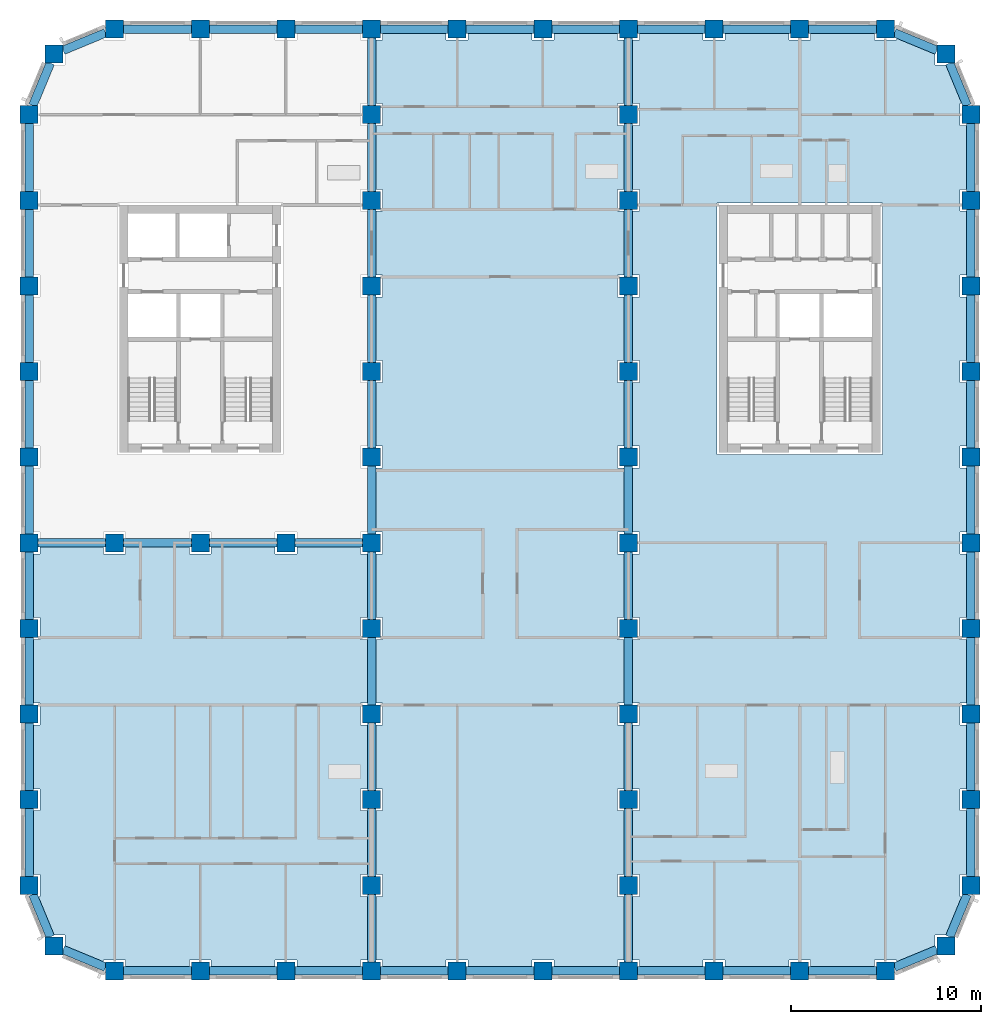
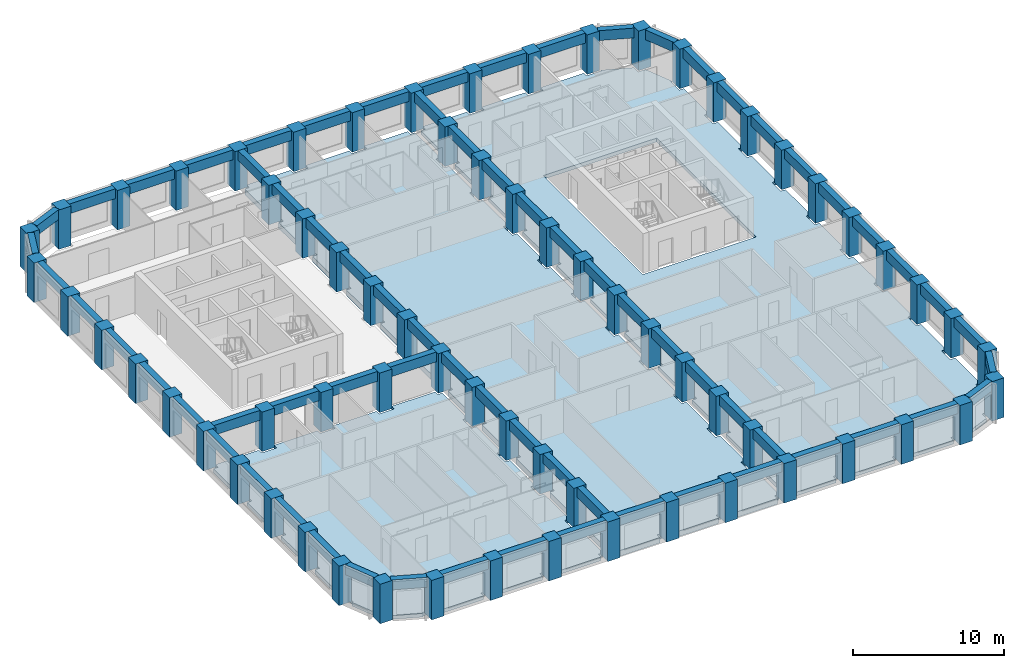
# One storey, part 1 of 13: 70 beams, 67 columns, 3 slabs.
"""IFC4 building model written with IfcOpenShell, lengths in metres."""

import ifcopenshell
import ifcopenshell.guid

model = None  # the IFC model being written
_history = None  # IfcOwnerHistory: only IFC2X3 demands one
_inside = {}  # id of a spatial element -> (the spatial element, [elements in it])
_under = {}  # id of a project, library or spatial element -> (it, [spatial elements below it])
_declared = {}  # id of a project -> (the project, [libraries it declares])
_typed = {}  # id of a type object -> (the type object, [elements of that type])
_made_of = {}  # id of a material, layer set ... -> (it, [elements and type objects made of it])


def new_model(schema):
    """Start an empty IFC model of exactly this schema.

    Asked for "IFC4X3", IfcOpenShell would pick the latest addendum, in which some entities
    have other attributes; the version numbers below select the first issue.
    IFC2X3 requires an IfcOwnerHistory on every rooted entity: one is made here for all.
    """
    global model, _history
    if schema == "IFC4X3":
        model = ifcopenshell.file(schema_version=(4, 3, 0, 0))
    else:
        model = ifcopenshell.file(schema=schema)
    _inside.clear()
    _under.clear()
    _declared.clear()
    _typed.clear()
    _made_of.clear()
    _history = None
    if model.schema == "IFC2X3":
        org = make("IfcOrganization", Name="unknown")
        user = make(
            "IfcPersonAndOrganization",
            ThePerson=make("IfcPerson", FamilyName="unknown"),
            TheOrganization=org,
        )
        app = make(
            "IfcApplication",
            ApplicationDeveloper=org,
            Version="unknown",
            ApplicationFullName="unknown",
            ApplicationIdentifier="unknown",
        )
        _history = make(
            "IfcOwnerHistory",
            OwningUser=user,
            OwningApplication=app,
            ChangeAction="ADDED",
            CreationDate=0,
        )
    return model


def make(cls, **values):
    """One entity of the class cls with the attributes given. An attribute that is None is left unset."""
    return model.create_entity(
        cls, **{name: value for name, value in values.items() if value is not None}
    )


def rooted(cls, **values):
    """An entity with a GlobalId (a new one), such as an element, a storey or a relation."""
    return make(cls, GlobalId=ifcopenshell.guid.new(), OwnerHistory=_history, **values)


def si_unit(unit_type, name, prefix=None):
    """IfcSIUnit, for example si_unit("LENGTHUNIT", "METRE", prefix="MILLI")."""
    return make("IfcSIUnit", UnitType=unit_type, Prefix=prefix, Name=name)


def assignment(units):
    """IfcUnitAssignment: the units of a project."""
    return None if units is None else make("IfcUnitAssignment", Units=units)


def point(xyz):
    """IfcCartesianPoint."""
    return None if xyz is None else make("IfcCartesianPoint", Coordinates=xyz)


def direction(xyz):
    """IfcDirection."""
    return None if xyz is None else make("IfcDirection", DirectionRatios=xyz)


def frame(location, z_axis=None, x_axis=None):
    """IfcAxis2Placement3D, a coordinate frame: its origin and axes. An axis left out is left unset."""
    return make(
        "IfcAxis2Placement3D",
        Location=point(location),
        Axis=direction(z_axis),
        RefDirection=direction(x_axis),
    )


def frame_2d(location, x_axis=None):
    """IfcAxis2Placement2D, a coordinate frame in the plane: its origin and x axis."""
    return make(
        "IfcAxis2Placement2D", Location=point(location), RefDirection=direction(x_axis)
    )


def origin():
    """The frame at (0, 0, 0) with its axes left unset."""
    return frame((0.0, 0.0, 0.0))


def origin_2d():
    """The frame at (0, 0) in the plane with its x axis left unset."""
    return frame_2d((0.0, 0.0))


def place(relative_to, where):
    """IfcLocalPlacement: puts the frame where relative to a parent placement (None: the world)."""
    return make(
        "IfcLocalPlacement", PlacementRelTo=relative_to, RelativePlacement=where
    )


def context(
    kind, dimensions, precision=None, world=None, true_north=None, identifier=None
):
    """IfcGeometricRepresentationContext, for example the 3D "Model" context."""
    return make(
        "IfcGeometricRepresentationContext",
        ContextIdentifier=identifier,
        ContextType=kind,
        CoordinateSpaceDimension=dimensions,
        Precision=precision,
        WorldCoordinateSystem=world,
        TrueNorth=true_north,
    )


def subcontext(parent, identifier, kind, view, scale=None):
    """IfcGeometricRepresentationSubContext, for example "Body" below "Model"."""
    return make(
        "IfcGeometricRepresentationSubContext",
        ContextIdentifier=identifier,
        ContextType=kind,
        ParentContext=parent,
        TargetScale=scale,
        TargetView=view,
    )


def project(units=None, contexts=None):
    """IfcProject with its units and contexts."""
    return rooted(
        "IfcProject",
        Name="project",
        RepresentationContexts=contexts,
        UnitsInContext=assignment(units),
    )


def spatial(cls, under=None, at=None, **own):
    """A site, building, storey or space (cls), placed at a placement, below another one or the project."""
    s = rooted(cls, ObjectPlacement=at, **own)
    if under is not None:
        _under.setdefault(under.id(), (under, []))[1].append(s)
    return s


def polyline(points):
    """IfcPolyline through the points."""
    return make("IfcPolyline", Points=[point(p) for p in points])


def profile(cls, at=None, kind="AREA", **sizes):
    """A parametric profile (cls). Its sizes go by their IFC names, for example OverallWidth=200.0."""
    return make(cls, ProfileType=kind, Position=at, **sizes)


def rectangle(**sizes):
    """IfcRectangleProfileDef."""
    return profile("IfcRectangleProfileDef", **sizes)


def outline(outer, holes=None, kind="AREA"):
    """IfcArbitraryClosedProfileDef: a profile drawn as a closed curve; with holes, ...WithVoids."""
    if holes is None:
        return make("IfcArbitraryClosedProfileDef", ProfileType=kind, OuterCurve=outer)
    return make(
        "IfcArbitraryProfileDefWithVoids",
        ProfileType=kind,
        OuterCurve=outer,
        InnerCurves=holes,
    )


def extrude(swept, where, along, depth):
    """IfcExtrudedAreaSolid: the profile swept, set in the frame where, extruded along a direction by depth."""
    return make(
        "IfcExtrudedAreaSolid",
        SweptArea=swept,
        Position=where,
        ExtrudedDirection=direction(along),
        Depth=depth,
    )


def shape(context_of_items, identifier, shape_type, items):
    """IfcShapeRepresentation: the items that make up one representation, for example the "Body"."""
    return make(
        "IfcShapeRepresentation",
        ContextOfItems=context_of_items,
        RepresentationIdentifier=identifier,
        RepresentationType=shape_type,
        Items=items,
    )


def material(Name=None, Category=None):
    """IfcMaterial."""
    return make("IfcMaterial", Name=Name, Category=Category)


def layer(
    of_material, thickness, ventilated=None, Name=None, Category=None, Priority=None
):
    """IfcMaterialLayer: one layer of a wall or slab, of a material (None: an air gap)."""
    return make(
        "IfcMaterialLayer",
        Material=of_material,
        LayerThickness=thickness,
        IsVentilated=ventilated,
        Name=Name,
        Category=Category,
        Priority=Priority,
    )


def layer_set(layers, Name=None):
    """IfcMaterialLayerSet."""
    return make("IfcMaterialLayerSet", MaterialLayers=layers, LayerSetName=Name)


def material_profile(
    of_material, cross_section, Name=None, Category=None, Priority=None
):
    """IfcMaterialProfile: a cross section and its material."""
    return make(
        "IfcMaterialProfile",
        Name=Name,
        Material=of_material,
        Profile=cross_section,
        Priority=Priority,
        Category=Category,
    )


def profile_set(profiles, Name=None, composite=None):
    """IfcMaterialProfileSet."""
    return make(
        "IfcMaterialProfileSet",
        Name=Name,
        MaterialProfiles=profiles,
        CompositeProfile=composite,
    )


def made_of(thing, what):
    """Note that an element or type object is made of a material, layer set ...; save() writes the relation."""
    if what is not None:
        _made_of.setdefault(what.id(), (what, []))[1].append(thing)
    return thing


def type_object(cls, material=None, **own):
    """A type object (cls), such as IfcWallType, which elements share."""
    return made_of(rooted(cls, **own), material)


def element(
    cls,
    number,
    at=None,
    inside=None,
    cuts=None,
    type_object=None,
    material=None,
    context=None,
    identifier="Body",
    shape_type=None,
    held_by="IfcProductDefinitionShape",
    body=None,
    shapes=None,
    **own,
):
    """One element of the class cls, such as IfcWall. Its Tag is "e" and its number.

    at: its placement. inside: the storey or other place that contains it. cuts: it is an
    opening in that element (IfcRelVoidsElement). A single representation is given by context,
    identifier, shape_type and body (its items); several are given by shapes. held_by: the class
    of the entity that holds the representations. save() writes the other relations.
    """
    e = rooted(cls, Tag="e%d" % number, ObjectPlacement=at, **own)
    if body is not None:
        shapes = [shape(context, identifier, shape_type, body)]
    if shapes is not None:
        e.Representation = make(held_by, Representations=shapes)
    if inside is not None:
        _inside.setdefault(inside.id(), (inside, []))[1].append(e)
    if cuts is not None:
        rooted(
            "IfcRelVoidsElement", RelatingBuildingElement=cuts, RelatedOpeningElement=e
        )
    if type_object is not None:
        _typed.setdefault(type_object.id(), (type_object, []))[1].append(e)
    return made_of(e, material)


def aggregate(whole, parts):
    """IfcRelAggregates: a whole, such as a stair, and the parts it consists of."""
    return rooted("IfcRelAggregates", RelatingObject=whole, RelatedObjects=parts)


def save(model, path):
    """Write the relations noted so far, then the file.

    IfcRelAggregates (storeys below a building ...), IfcRelContainedInSpatialStructure (elements
    in a storey), IfcRelDefinesByType, IfcRelAssociatesMaterial and IfcRelDeclares: one each for
    every whole, place, type object, material and project.
    """
    for whole, parts in _under.values():
        aggregate(whole, parts)
    for where, things in _inside.values():
        rooted(
            "IfcRelContainedInSpatialStructure",
            RelatedElements=things,
            RelatingStructure=where,
        )
    for kind, things in _typed.values():
        rooted("IfcRelDefinesByType", RelatedObjects=things, RelatingType=kind)
    for what, things in _made_of.values():
        rooted("IfcRelAssociatesMaterial", RelatedObjects=things, RelatingMaterial=what)
    for by, libraries in _declared.values():
        rooted("IfcRelDeclares", RelatingContext=by, RelatedDefinitions=libraries)
    model.write(path)


model = new_model("IFC4")

# Units and contexts
model_context = context("Model", 3, precision=1e-05, world=origin(), true_north=direction((0.0, 1.0)))
body_context = subcontext(model_context, "Body", "Model", "MODEL_VIEW")
ifc_project = project(units=[si_unit("LENGTHUNIT", "METRE"), si_unit("AREAUNIT", "SQUARE_METRE"), si_unit("VOLUMEUNIT", "CUBIC_METRE"), si_unit("PLANEANGLEUNIT", "RADIAN"), si_unit("MASSUNIT", "GRAM", prefix="KILO")], contexts=[model_context])

# Site, building, storey
site_placement = place(None, origin())
site = spatial("IfcSite", under=ifc_project, at=site_placement, CompositionType="ELEMENT")
building_placement = place(site_placement, origin())
building = spatial("IfcBuilding", under=site, at=building_placement, Name="Girih Gate Residences", CompositionType="ELEMENT")
storey_placement = place(building_placement, frame((0.0, 0.0, 130.199951171875)))
storey = spatial("IfcBuildingStorey", under=building, at=storey_placement, Name="L36", CompositionType="ELEMENT", Elevation=130.199951171875)

# Columns
ifc_material_1 = material(Name="Concrete C70/85", Category="concrete")
ifc_material_profile_1 = material_profile(ifc_material_1, rectangle(XDim=0.949951171875, YDim=0.949951171875, at=origin_2d()))
ifc_profile_set_1 = profile_set([ifc_material_profile_1], Name="Concrete C70/85")
column_type = type_object("IfcColumnType", Name="Pier RC 950x950 Concrete C70/85", PredefinedType="COLUMN", material=ifc_profile_set_1)
for number, where, z_axis, x_axis, name in (
    (1, (4.5, 0.0, 0.0), (0.0, 0.0, 1.0), (1.0, 0.0, 0.0), "Pier P2A L36"),
    (2, (9.0, 0.0, 0.0), (0.0, 0.0, 1.0), (1.0, 0.0, 0.0), "Pier P3A L36"),
    (3, (13.5, 0.0, 0.0), (0.0, 0.0, 1.0), (1.0, 0.0, 0.0), "Pier P4A L36"),
    (4, (18.0, 0.0, 0.0), (0.0, 0.0, 1.0), (1.0, 0.0, 0.0), "Pier P5A L36"),
    (5, (22.5, 0.0, 0.0), (0.0, 0.0, 1.0), (1.0, 0.0, 0.0), "Pier P6A L36"),
    (6, (27.0, 0.0, 0.0), (0.0, 0.0, 1.0), (1.0, 0.0, 0.0), "Pier P7A L36"),
    (7, (31.5, 0.0, 0.0), (0.0, 0.0, 1.0), (1.0, 0.0, 0.0), "Pier P8A L36"),
    (8, (36.0, 0.0, 0.0), (0.0, 0.0, 1.0), (1.0, 0.0, 0.0), "Pier P9A L36"),
    (9, (40.5, 0.0, 0.0), (0.0, 0.0, 1.0), (1.0, 0.0, 0.0), "Pier P10A L36"),
    (10, (45.0, 0.0, 0.0), (0.0, 0.0, 1.0), (1.0, 0.0, 0.0), "Pier P11A L36"),
    (11, (1.318115234375, 1.318115234375, 0.0), (0.0, 0.0, 1.0), (1.0, 0.0, 0.0), "Pier P1ANE L36"),
    (12, (48.181884765625, 1.318115234375, 0.0), (0.0, 0.0, 1.0), (1.0, 0.0, 0.0), "Pier P12ANW L36"),
    (13, (0.0, 4.5, 0.0), (0.0, 0.0, 1.0), (1.0, 0.0, 0.0), "Pier P1B L36"),
    (14, (18.0, 4.5, 0.0), (0.0, 0.0, 1.0), (1.0, 0.0, 0.0), "Pier P5B L36"),
    (15, (31.5, 4.5, 0.0), (0.0, 0.0, 1.0), (1.0, 0.0, 0.0), "Pier P8B L36"),
    (16, (49.5, 4.5, 0.0), (0.0, 0.0, 1.0), (1.0, 0.0, 0.0), "Pier P12B L36"),
    (17, (0.0, 9.0, 0.0), (0.0, 0.0, 1.0), (1.0, 0.0, 0.0), "Pier P1C L36"),
    (18, (18.0, 9.0, 0.0), (0.0, 0.0, 1.0), (1.0, 0.0, 0.0), "Pier P5C L36"),
    (19, (31.5, 9.0, 0.0), (0.0, 0.0, 1.0), (1.0, 0.0, 0.0), "Pier P8C L36"),
    (20, (49.5, 9.0, 0.0), (0.0, 0.0, 1.0), (1.0, 0.0, 0.0), "Pier P12C L36"),
    (21, (0.0, 13.5, 0.0), (0.0, 0.0, 1.0), (1.0, 0.0, 0.0), "Pier P1D L36"),
    (22, (18.0, 13.5, 0.0), (0.0, 0.0, 1.0), (1.0, 0.0, 0.0), "Pier P5D L36"),
    (23, (31.5, 13.5, 0.0), (0.0, 0.0, 1.0), (1.0, 0.0, 0.0), "Pier P8D L36"),
    (24, (49.5, 13.5, 0.0), (0.0, 0.0, 1.0), (1.0, 0.0, 0.0), "Pier P12D L36"),
    (25, (0.0, 18.0, 0.0), (0.0, 0.0, 1.0), (1.0, 0.0, 0.0), "Pier P1E L36"),
    (26, (18.0, 18.0, 0.0), (0.0, 0.0, 1.0), (1.0, 0.0, 0.0), "Pier P5E L36"),
    (27, (31.5, 18.0, 0.0), (0.0, 0.0, 1.0), (1.0, 0.0, 0.0), "Pier P8E L36"),
    (28, (49.5, 18.0, 0.0), (0.0, 0.0, 1.0), (1.0, 0.0, 0.0), "Pier P12E L36"),
    (29, (0.0, 22.5, 0.0), (0.0, 0.0, 1.0), (1.0, 0.0, 0.0), "Pier P1F L36"),
    (30, (4.5, 22.5, 0.0), (0.0, 0.0, 1.0), (1.0, 0.0, 0.0), "Pier P2F L36"),
    (31, (9.0, 22.5, 0.0), (0.0, 0.0, 1.0), (1.0, 0.0, 0.0), "Pier P3F L36"),
    (32, (13.5, 22.5, 0.0), (0.0, 0.0, 1.0), (1.0, 0.0, 0.0), "Pier P4F L36"),
    (33, (18.0, 22.5, 0.0), (0.0, 0.0, 1.0), (1.0, 0.0, 0.0), "Pier P5F L36"),
    (34, (31.5, 22.5, 0.0), (0.0, 0.0, 1.0), (1.0, 0.0, 0.0), "Pier P8F L36"),
    (35, (49.5, 22.5, 0.0), (0.0, 0.0, 1.0), (1.0, 0.0, 0.0), "Pier P12F L36"),
    (36, (0.0, 27.0, 0.0), (0.0, 0.0, 1.0), (1.0, 0.0, 0.0), "Pier P1G L36"),
    (37, (18.0, 27.0, 0.0), (0.0, 0.0, 1.0), (1.0, 0.0, 0.0), "Pier P5G L36"),
    (38, (31.5, 27.0, 0.0), (0.0, 0.0, 1.0), (1.0, 0.0, 0.0), "Pier P8G L36"),
    (39, (49.5, 27.0, 0.0), (0.0, 0.0, 1.0), (1.0, 0.0, 0.0), "Pier P12G L36"),
    (40, (0.0, 31.5, 0.0), (0.0, 0.0, 1.0), (1.0, 0.0, 0.0), "Pier P1H L36"),
    (41, (18.0, 31.5, 0.0), (0.0, 0.0, 1.0), (1.0, 0.0, 0.0), "Pier P5H L36"),
    (42, (31.5, 31.5, 0.0), (0.0, 0.0, 1.0), (1.0, 0.0, 0.0), "Pier P8H L36"),
    (43, (49.5, 31.5, 0.0), (0.0, 0.0, 1.0), (1.0, 0.0, 0.0), "Pier P12H L36"),
    (44, (0.0, 36.0, 0.0), (0.0, 0.0, 1.0), (1.0, 0.0, 0.0), "Pier P1I L36"),
    (45, (18.0, 36.0, 0.0), (0.0, 0.0, 1.0), (1.0, 0.0, 0.0), "Pier P5I L36"),
    (46, (31.5, 36.0, 0.0), (0.0, 0.0, 1.0), (1.0, 0.0, 0.0), "Pier P8I L36"),
    (47, (49.5, 36.0, 0.0), (0.0, 0.0, 1.0), (1.0, 0.0, 0.0), "Pier P12I L36"),
    (48, (0.0, 40.5, 0.0), (0.0, 0.0, 1.0), (1.0, 0.0, 0.0), "Pier P1J L36"),
    (49, (18.0, 40.5, 0.0), (0.0, 0.0, 1.0), (1.0, 0.0, 0.0), "Pier P5J L36"),
    (50, (31.5, 40.5, 0.0), (0.0, 0.0, 1.0), (1.0, 0.0, 0.0), "Pier P8J L36"),
    (51, (49.5, 40.5, 0.0), (0.0, 0.0, 1.0), (1.0, 0.0, 0.0), "Pier P12J L36"),
    (52, (0.0, 45.0, 0.0), (0.0, 0.0, 1.0), (1.0, 0.0, 0.0), "Pier P1K L36"),
    (53, (18.0, 45.0, 0.0), (0.0, 0.0, 1.0), (1.0, 0.0, 0.0), "Pier P5K L36"),
    (54, (31.5, 45.0, 0.0), (0.0, 0.0, 1.0), (1.0, 0.0, 0.0), "Pier P8K L36"),
    (55, (49.5, 45.0, 0.0), (0.0, 0.0, 1.0), (1.0, 0.0, 0.0), "Pier P12K L36"),
    (56, (1.318115234375, 48.181884765625, 0.0), (0.0, 0.0, 1.0), (1.0, 0.0, 0.0), "Pier P1LSE L36"),
    (57, (48.181884765625, 48.181884765625, 0.0), (0.0, 0.0, 1.0), (1.0, 0.0, 0.0), "Pier P12LSW L36"),
    (58, (4.5, 49.5, 0.0), (0.0, 0.0, 1.0), (1.0, 0.0, 0.0), "Pier P2L L36"),
    (59, (9.0, 49.5, 0.0), (0.0, 0.0, 1.0), (1.0, 0.0, 0.0), "Pier P3L L36"),
    (60, (13.5, 49.5, 0.0), (0.0, 0.0, 1.0), (1.0, 0.0, 0.0), "Pier P4L L36"),
    (61, (18.0, 49.5, 0.0), (0.0, 0.0, 1.0), (1.0, 0.0, 0.0), "Pier P5L L36"),
    (62, (22.5, 49.5, 0.0), (0.0, 0.0, 1.0), (1.0, 0.0, 0.0), "Pier P6L L36"),
    (63, (27.0, 49.5, 0.0), (0.0, 0.0, 1.0), (1.0, 0.0, 0.0), "Pier P7L L36"),
    (64, (31.5, 49.5, 0.0), (0.0, 0.0, 1.0), (1.0, 0.0, 0.0), "Pier P8L L36"),
    (65, (36.0, 49.5, 0.0), (0.0, 0.0, 1.0), (1.0, 0.0, 0.0), "Pier P9L L36"),
    (66, (40.5, 49.5, 0.0), (0.0, 0.0, 1.0), (1.0, 0.0, 0.0), "Pier P10L L36"),
    (67, (45.0, 49.5, 0.0), (0.0, 0.0, 1.0), (1.0, 0.0, 0.0), "Pier P11L L36"),
):
    element("IfcColumn", number, at=place(storey_placement, frame(where, z_axis=z_axis, x_axis=x_axis)), inside=storey, type_object=column_type, Name=name, PredefinedType="COLUMN", context=body_context, shape_type="SweptSolid", body=[
        extrude(rectangle(XDim=0.949951171875, YDim=0.949951171875, at=origin_2d()), origin(), (0.0, 0.0, 1.0), 3.199951171875),
    ])

# Beams
ifc_material_2 = material(Name="Concrete C60/75", Category="concrete")
ifc_material_profile_2 = material_profile(ifc_material_2, rectangle(XDim=0.449951171875, YDim=0.800048828125, at=origin_2d()))
ifc_profile_set_2 = profile_set([ifc_material_profile_2], Name="Concrete C60/75")
beam_type = type_object("IfcBeamType", Name="Spandrel girder RC 450x800 Concrete C60/75", PredefinedType="BEAM", material=ifc_profile_set_2)
for number, where, z_axis, x_axis, name in (
    (68, (0.19677734375, 4.02490234375, 2.800048828125), (0.382705825988, -0.923870256451, 0.0), (0.923870256451, 0.382705825988, 0.0), "Spandrel girder SP-P1B-P1ANE L36"),
    (69, (1.79296875, 1.121337890625, 2.800048828125), (0.923870256451, -0.382705825988, 0.0), (0.382705825988, 0.923870256451, 0.0), "Spandrel girder SP-P1ANE-P2A L36"),
):
    element("IfcBeam", number, at=place(storey_placement, frame(where, z_axis=z_axis, x_axis=x_axis)), inside=storey, type_object=beam_type, Name=name, PredefinedType="BEAM", context=body_context, shape_type="SweptSolid", body=[
        extrude(rectangle(XDim=0.449951171875, YDim=0.800048828125, at=origin_2d()), origin(), (0.0, 0.0, 1.0), 2.415771484375),
    ])
for number, where, z_axis, x_axis, name in (
    (70, (4.97509765625, 0.0, 2.800048828125), (1.0, 0.0, 0.0), (0.0, 1.0, 0.0), "Spandrel girder SP-P2A-P3A L36"),
    (71, (9.47509765625, 0.0, 2.800048828125), (1.0, 0.0, 0.0), (0.0, 1.0, 0.0), "Spandrel girder SP-P3A-P4A L36"),
    (72, (13.97509765625, 0.0, 2.800048828125), (1.0, 0.0, 0.0), (0.0, 1.0, 0.0), "Spandrel girder SP-P4A-P5A L36"),
    (73, (18.47509765625, 0.0, 2.800048828125), (1.0, 0.0, 0.0), (0.0, 1.0, 0.0), "Spandrel girder SP-P5A-P6A L36"),
    (74, (22.97509765625, 0.0, 2.800048828125), (1.0, 0.0, 0.0), (0.0, 1.0, 0.0), "Spandrel girder SP-P6A-P7A L36"),
    (75, (27.47509765625, 0.0, 2.800048828125), (1.0, 0.0, 0.0), (0.0, 1.0, 0.0), "Spandrel girder SP-P7A-P8A L36"),
    (76, (31.97509765625, 0.0, 2.800048828125), (1.0, 0.0, 0.0), (0.0, 1.0, 0.0), "Spandrel girder SP-P8A-P9A L36"),
    (77, (36.47509765625, 0.0, 2.800048828125), (1.0, 0.0, 0.0), (0.0, 1.0, 0.0), "Spandrel girder SP-P9A-P10A L36"),
    (78, (40.97509765625, 0.0, 2.800048828125), (1.0, 0.0, 0.0), (0.0, 1.0, 0.0), "Spandrel girder SP-P10A-P11A L36"),
):
    element("IfcBeam", number, at=place(storey_placement, frame(where, z_axis=z_axis, x_axis=x_axis)), inside=storey, type_object=beam_type, Name=name, PredefinedType="BEAM", context=body_context, shape_type="SweptSolid", body=[
        extrude(rectangle(XDim=0.449951171875, YDim=0.800048828125, at=origin_2d()), origin(), (0.0, 0.0, 1.0), 3.5498046875),
    ])
for number, where, z_axis, x_axis, name in (
    (79, (45.47509765625, 0.19677734375, 2.800048828125), (0.923870256451, 0.382705825988, 0.0), (-0.382705825988, 0.923870256451, 0.0), "Spandrel girder SP-P11A-P12ANW L36"),
    (80, (48.378662109375, 1.79296875, 2.800048828125), (0.382705825988, 0.923870256451, 0.0), (-0.923870256451, 0.382705825988, 0.0), "Spandrel girder SP-P12ANW-P12B L36"),
):
    element("IfcBeam", number, at=place(storey_placement, frame(where, z_axis=z_axis, x_axis=x_axis)), inside=storey, type_object=beam_type, Name=name, PredefinedType="BEAM", context=body_context, shape_type="SweptSolid", body=[
        extrude(rectangle(XDim=0.449951171875, YDim=0.800048828125, at=origin_2d()), origin(), (0.0, 0.0, 1.0), 2.415771484375),
    ])
for number, where, z_axis, x_axis, name in (
    (81, (49.5, 4.97509765625, 2.800048828125), (0.0, 1.0, 0.0), (-1.0, 0.0, 0.0), "Spandrel girder SP-P12B-P12C L36"),
    (82, (49.5, 9.47509765625, 2.800048828125), (0.0, 1.0, 0.0), (-1.0, 0.0, 0.0), "Spandrel girder SP-P12C-P12D L36"),
    (83, (49.5, 13.97509765625, 2.800048828125), (0.0, 1.0, 0.0), (-1.0, 0.0, 0.0), "Spandrel girder SP-P12D-P12E L36"),
    (84, (49.5, 18.47509765625, 2.800048828125), (0.0, 1.0, 0.0), (-1.0, 0.0, 0.0), "Spandrel girder SP-P12E-P12F L36"),
    (85, (49.5, 22.97509765625, 2.800048828125), (0.0, 1.0, 0.0), (-1.0, 0.0, 0.0), "Spandrel girder SP-P12F-P12G L36"),
    (86, (49.5, 27.47509765625, 2.800048828125), (0.0, 1.0, 0.0), (-1.0, 0.0, 0.0), "Spandrel girder SP-P12G-P12H L36"),
    (87, (49.5, 31.97509765625, 2.800048828125), (0.0, 1.0, 0.0), (-1.0, 0.0, 0.0), "Spandrel girder SP-P12H-P12I L36"),
    (88, (49.5, 36.47509765625, 2.800048828125), (0.0, 1.0, 0.0), (-1.0, 0.0, 0.0), "Spandrel girder SP-P12I-P12J L36"),
    (89, (49.5, 40.97509765625, 2.800048828125), (0.0, 1.0, 0.0), (-1.0, 0.0, 0.0), "Spandrel girder SP-P12J-P12K L36"),
):
    element("IfcBeam", number, at=place(storey_placement, frame(where, z_axis=z_axis, x_axis=x_axis)), inside=storey, type_object=beam_type, Name=name, PredefinedType="BEAM", context=body_context, shape_type="SweptSolid", body=[
        extrude(rectangle(XDim=0.449951171875, YDim=0.800048828125, at=origin_2d()), origin(), (0.0, 0.0, 1.0), 3.5498046875),
    ])
for number, where, z_axis, x_axis, name in (
    (90, (49.30322265625, 45.47509765625, 2.800048828125), (-0.382705825988, 0.923870256451, 0.0), (-0.923870256451, -0.382705825988, 0.0), "Spandrel girder SP-P12K-P12LSW L36"),
    (91, (47.70703125, 48.378662109375, 2.800048828125), (-0.923870256451, 0.382705825988, 0.0), (-0.382705825988, -0.923870256451, 0.0), "Spandrel girder SP-P12LSW-P11L L36"),
):
    element("IfcBeam", number, at=place(storey_placement, frame(where, z_axis=z_axis, x_axis=x_axis)), inside=storey, type_object=beam_type, Name=name, PredefinedType="BEAM", context=body_context, shape_type="SweptSolid", body=[
        extrude(rectangle(XDim=0.449951171875, YDim=0.800048828125, at=origin_2d()), origin(), (0.0, 0.0, 1.0), 2.415771484375),
    ])
for number, where, z_axis, x_axis, name in (
    (92, (44.52490234375, 49.5, 2.800048828125), (-1.0, 0.0, 0.0), (0.0, -1.0, 0.0), "Spandrel girder SP-P11L-P10L L36"),
    (93, (40.02490234375, 49.5, 2.800048828125), (-1.0, 0.0, 0.0), (0.0, -1.0, 0.0), "Spandrel girder SP-P10L-P9L L36"),
    (94, (35.52490234375, 49.5, 2.800048828125), (-1.0, 0.0, 0.0), (0.0, -1.0, 0.0), "Spandrel girder SP-P9L-P8L L36"),
    (95, (31.02490234375, 49.5, 2.800048828125), (-1.0, 0.0, 0.0), (0.0, -1.0, 0.0), "Spandrel girder SP-P8L-P7L L36"),
    (96, (26.52490234375, 49.5, 2.800048828125), (-1.0, 0.0, 0.0), (0.0, -1.0, 0.0), "Spandrel girder SP-P7L-P6L L36"),
    (97, (22.02490234375, 49.5, 2.800048828125), (-1.0, 0.0, 0.0), (0.0, -1.0, 0.0), "Spandrel girder SP-P6L-P5L L36"),
    (98, (17.52490234375, 49.5, 2.800048828125), (-1.0, 0.0, 0.0), (0.0, -1.0, 0.0), "Spandrel girder SP-P5L-P4L L36"),
    (99, (13.02490234375, 49.5, 2.800048828125), (-1.0, 0.0, 0.0), (0.0, -1.0, 0.0), "Spandrel girder SP-P4L-P3L L36"),
    (100, (8.52490234375, 49.5, 2.800048828125), (-1.0, 0.0, 0.0), (0.0, -1.0, 0.0), "Spandrel girder SP-P3L-P2L L36"),
):
    element("IfcBeam", number, at=place(storey_placement, frame(where, z_axis=z_axis, x_axis=x_axis)), inside=storey, type_object=beam_type, Name=name, PredefinedType="BEAM", context=body_context, shape_type="SweptSolid", body=[
        extrude(rectangle(XDim=0.449951171875, YDim=0.800048828125, at=origin_2d()), origin(), (0.0, 0.0, 1.0), 3.5498046875),
    ])
for number, where, z_axis, x_axis, name in (
    (101, (4.02490234375, 49.30322265625, 2.800048828125), (-0.923870256451, -0.382705825988, 0.0), (0.382705825988, -0.923870256451, 0.0), "Spandrel girder SP-P2L-P1LSE L36"),
    (102, (1.121337890625, 47.70703125, 2.800048828125), (-0.382705825988, -0.923870256451, 0.0), (0.923870256451, -0.382705825988, 0.0), "Spandrel girder SP-P1LSE-P1K L36"),
):
    element("IfcBeam", number, at=place(storey_placement, frame(where, z_axis=z_axis, x_axis=x_axis)), inside=storey, type_object=beam_type, Name=name, PredefinedType="BEAM", context=body_context, shape_type="SweptSolid", body=[
        extrude(rectangle(XDim=0.449951171875, YDim=0.800048828125, at=origin_2d()), origin(), (0.0, 0.0, 1.0), 2.415771484375),
    ])
for number, where, z_axis, x_axis, name in (
    (103, (0.0, 44.52490234375, 2.800048828125), (0.0, -1.0, 0.0), (1.0, 0.0, 0.0), "Spandrel girder SP-P1K-P1J L36"),
    (104, (0.0, 40.02490234375, 2.800048828125), (0.0, -1.0, 0.0), (1.0, 0.0, 0.0), "Spandrel girder SP-P1J-P1I L36"),
    (105, (0.0, 35.52490234375, 2.800048828125), (0.0, -1.0, 0.0), (1.0, 0.0, 0.0), "Spandrel girder SP-P1I-P1H L36"),
    (106, (0.0, 31.02490234375, 2.800048828125), (0.0, -1.0, 0.0), (1.0, 0.0, 0.0), "Spandrel girder SP-P1H-P1G L36"),
    (107, (0.0, 26.52490234375, 2.800048828125), (0.0, -1.0, 0.0), (1.0, 0.0, 0.0), "Spandrel girder SP-P1G-P1F L36"),
    (108, (0.0, 22.02490234375, 2.800048828125), (0.0, -1.0, 0.0), (1.0, 0.0, 0.0), "Spandrel girder SP-P1F-P1E L36"),
    (109, (0.0, 17.52490234375, 2.800048828125), (0.0, -1.0, 0.0), (1.0, 0.0, 0.0), "Spandrel girder SP-P1E-P1D L36"),
    (110, (0.0, 13.02490234375, 2.800048828125), (0.0, -1.0, 0.0), (1.0, 0.0, 0.0), "Spandrel girder SP-P1D-P1C L36"),
    (111, (0.0, 8.52490234375, 2.800048828125), (0.0, -1.0, 0.0), (1.0, 0.0, 0.0), "Spandrel girder SP-P1C-P1B L36"),
    (112, (18.0, 0.47509765625, 2.800048828125), (0.0, 1.0, 0.0), (-1.0, 0.0, 0.0), "Spandrel girder SP-P5A-P5B L36"),
    (113, (18.0, 4.97509765625, 2.800048828125), (0.0, 1.0, 0.0), (-1.0, 0.0, 0.0), "Spandrel girder SP-P5B-P5C L36"),
    (114, (18.0, 9.47509765625, 2.800048828125), (0.0, 1.0, 0.0), (-1.0, 0.0, 0.0), "Spandrel girder SP-P5C-P5D L36"),
    (115, (18.0, 13.97509765625, 2.800048828125), (0.0, 1.0, 0.0), (-1.0, 0.0, 0.0), "Spandrel girder SP-P5D-P5E L36"),
    (116, (18.0, 18.47509765625, 2.800048828125), (0.0, 1.0, 0.0), (-1.0, 0.0, 0.0), "Spandrel girder SP-P5E-P5F L36"),
    (117, (18.0, 22.97509765625, 2.800048828125), (0.0, 1.0, 0.0), (-1.0, 0.0, 0.0), "Spandrel girder SP-P5F-P5G L36"),
    (118, (18.0, 27.47509765625, 2.800048828125), (0.0, 1.0, 0.0), (-1.0, 0.0, 0.0), "Spandrel girder SP-P5G-P5H L36"),
    (119, (18.0, 31.97509765625, 2.800048828125), (0.0, 1.0, 0.0), (-1.0, 0.0, 0.0), "Spandrel girder SP-P5H-P5I L36"),
    (120, (18.0, 36.47509765625, 2.800048828125), (0.0, 1.0, 0.0), (-1.0, 0.0, 0.0), "Spandrel girder SP-P5I-P5J L36"),
    (121, (18.0, 40.97509765625, 2.800048828125), (0.0, 1.0, 0.0), (-1.0, 0.0, 0.0), "Spandrel girder SP-P5J-P5K L36"),
    (122, (18.0, 45.47509765625, 2.800048828125), (0.0, 1.0, 0.0), (-1.0, 0.0, 0.0), "Spandrel girder SP-P5K-P5L L36"),
    (123, (31.5, 0.47509765625, 2.800048828125), (0.0, 1.0, 0.0), (-1.0, 0.0, 0.0), "Spandrel girder SP-P8A-P8B L36"),
    (124, (31.5, 4.97509765625, 2.800048828125), (0.0, 1.0, 0.0), (-1.0, 0.0, 0.0), "Spandrel girder SP-P8B-P8C L36"),
    (125, (31.5, 9.47509765625, 2.800048828125), (0.0, 1.0, 0.0), (-1.0, 0.0, 0.0), "Spandrel girder SP-P8C-P8D L36"),
    (126, (31.5, 13.97509765625, 2.800048828125), (0.0, 1.0, 0.0), (-1.0, 0.0, 0.0), "Spandrel girder SP-P8D-P8E L36"),
    (127, (31.5, 18.47509765625, 2.800048828125), (0.0, 1.0, 0.0), (-1.0, 0.0, 0.0), "Spandrel girder SP-P8E-P8F L36"),
    (128, (31.5, 22.97509765625, 2.800048828125), (0.0, 1.0, 0.0), (-1.0, 0.0, 0.0), "Spandrel girder SP-P8F-P8G L36"),
    (129, (31.5, 27.47509765625, 2.800048828125), (0.0, 1.0, 0.0), (-1.0, 0.0, 0.0), "Spandrel girder SP-P8G-P8H L36"),
    (130, (31.5, 31.97509765625, 2.800048828125), (0.0, 1.0, 0.0), (-1.0, 0.0, 0.0), "Spandrel girder SP-P8H-P8I L36"),
    (131, (31.5, 36.47509765625, 2.800048828125), (0.0, 1.0, 0.0), (-1.0, 0.0, 0.0), "Spandrel girder SP-P8I-P8J L36"),
    (132, (31.5, 40.97509765625, 2.800048828125), (0.0, 1.0, 0.0), (-1.0, 0.0, 0.0), "Spandrel girder SP-P8J-P8K L36"),
    (133, (31.5, 45.47509765625, 2.800048828125), (0.0, 1.0, 0.0), (-1.0, 0.0, 0.0), "Spandrel girder SP-P8K-P8L L36"),
    (134, (0.47509765625, 22.5, 2.800048828125), (1.0, 0.0, 0.0), (0.0, 1.0, 0.0), "Spandrel girder SP-P1F-P2F L36"),
    (135, (4.97509765625, 22.5, 2.800048828125), (1.0, 0.0, 0.0), (0.0, 1.0, 0.0), "Spandrel girder SP-P2F-P3F L36"),
    (136, (9.47509765625, 22.5, 2.800048828125), (1.0, 0.0, 0.0), (0.0, 1.0, 0.0), "Spandrel girder SP-P3F-P4F L36"),
    (137, (13.97509765625, 22.5, 2.800048828125), (1.0, 0.0, 0.0), (0.0, 1.0, 0.0), "Spandrel girder SP-P4F-P5F L36"),
):
    element("IfcBeam", number, at=place(storey_placement, frame(where, z_axis=z_axis, x_axis=x_axis)), inside=storey, type_object=beam_type, Name=name, PredefinedType="BEAM", context=body_context, shape_type="SweptSolid", body=[
        extrude(rectangle(XDim=0.449951171875, YDim=0.800048828125, at=origin_2d()), origin(), (0.0, 0.0, 1.0), 3.5498046875),
    ])

# Slabs
ifc_material_3 = material(Name="Concrete C40/50", Category="concrete")
ifc_layer_1 = layer(ifc_material_3, 0.300048828125)
ifc_layer_set_1 = layer_set([ifc_layer_1], Name="Floor slab PT 300 Concrete C40/50")
slab_type_1 = type_object("IfcSlabType", Name="Floor slab PT 300 Concrete C40/50", PredefinedType="FLOOR", material=ifc_layer_set_1)
slab_1_placement = place(storey_placement, frame((0.0, 0.0, -0.300048828125)))
element("IfcSlab", 138, at=slab_1_placement, inside=storey, type_object=slab_type_1, Name="Floor slab L36 0", PredefinedType="FLOOR", context=body_context, shape_type="SweptSolid", body=[
    extrude(outline(polyline([(0.22509765625, 8.425048828125), (0.22509765625, 5.074951171875), (0.574951171875, 5.074951171875), (0.574951171875, 3.925048828125), (0.481689453125, 3.925048828125), (1.323486328125, 1.89306640625), (1.89306640625, 1.89306640625), (1.89306640625, 1.323486328125), (3.925048828125, 0.481689453125), (3.925048828125, 0.574951171875), (5.074951171875, 0.574951171875), (5.074951171875, 0.22509765625), (8.425048828125, 0.22509765625), (8.425048828125, 0.574951171875), (9.574951171875, 0.574951171875), (9.574951171875, 0.22509765625), (12.925048828125, 0.22509765625), (12.925048828125, 0.574951171875), (14.074951171875, 0.574951171875), (14.074951171875, 0.22509765625), (17.425048828125, 0.22509765625), (17.425048828125, 0.574951171875), (17.77490234375, 0.574951171875), (17.77490234375, 3.925048828125), (17.425048828125, 3.925048828125), (17.425048828125, 5.074951171875), (17.77490234375, 5.074951171875), (17.77490234375, 8.425048828125), (17.425048828125, 8.425048828125), (17.425048828125, 9.574951171875), (17.77490234375, 9.574951171875), (17.77490234375, 12.925048828125), (17.425048828125, 12.925048828125), (17.425048828125, 14.074951171875), (17.77490234375, 14.074951171875), (17.77490234375, 17.425048828125), (17.425048828125, 17.425048828125), (17.425048828125, 18.574951171875), (17.77490234375, 18.574951171875), (17.77490234375, 21.925048828125), (17.425048828125, 21.925048828125), (17.425048828125, 22.27490234375), (14.074951171875, 22.27490234375), (14.074951171875, 21.925048828125), (12.925048828125, 21.925048828125), (12.925048828125, 22.27490234375), (9.574951171875, 22.27490234375), (9.574951171875, 21.925048828125), (8.425048828125, 21.925048828125), (8.425048828125, 22.27490234375), (5.074951171875, 22.27490234375), (5.074951171875, 21.925048828125), (3.925048828125, 21.925048828125), (3.925048828125, 22.27490234375), (0.574951171875, 22.27490234375), (0.574951171875, 21.925048828125), (0.22509765625, 21.925048828125), (0.22509765625, 18.574951171875), (0.574951171875, 18.574951171875), (0.574951171875, 17.425048828125), (0.22509765625, 17.425048828125), (0.22509765625, 14.074951171875), (0.574951171875, 14.074951171875), (0.574951171875, 12.925048828125), (0.22509765625, 12.925048828125), (0.22509765625, 9.574951171875), (0.574951171875, 9.574951171875), (0.574951171875, 8.425048828125), (0.22509765625, 8.425048828125)])), origin(), (0.0, 0.0, 1.0), 0.300048828125),
])
slab_2_placement = place(storey_placement, frame((0.0, 0.0, -0.300048828125)))
element("IfcSlab", 139, at=slab_2_placement, inside=storey, type_object=slab_type_1, Name="Floor slab L36 1", PredefinedType="FLOOR", context=body_context, shape_type="SweptSolid", body=[
    extrude(outline(polyline([(35.425048828125, 49.27490234375), (32.074951171875, 49.27490234375), (32.074951171875, 48.925048828125), (31.72509765625, 48.925048828125), (31.72509765625, 45.574951171875), (32.074951171875, 45.574951171875), (32.074951171875, 44.425048828125), (31.72509765625, 44.425048828125), (31.72509765625, 41.074951171875), (32.074951171875, 41.074951171875), (32.074951171875, 39.925048828125), (31.72509765625, 39.925048828125), (31.72509765625, 36.574951171875), (32.074951171875, 36.574951171875), (32.074951171875, 35.425048828125), (31.72509765625, 35.425048828125), (31.72509765625, 32.074951171875), (32.074951171875, 32.074951171875), (32.074951171875, 30.925048828125), (31.72509765625, 30.925048828125), (31.72509765625, 27.574951171875), (32.074951171875, 27.574951171875), (32.074951171875, 26.425048828125), (31.72509765625, 26.425048828125), (31.72509765625, 23.074951171875), (32.074951171875, 23.074951171875), (32.074951171875, 21.925048828125), (31.72509765625, 21.925048828125), (31.72509765625, 18.574951171875), (32.074951171875, 18.574951171875), (32.074951171875, 17.425048828125), (31.72509765625, 17.425048828125), (31.72509765625, 14.074951171875), (32.074951171875, 14.074951171875), (32.074951171875, 12.925048828125), (31.72509765625, 12.925048828125), (31.72509765625, 9.574951171875), (32.074951171875, 9.574951171875), (32.074951171875, 8.425048828125), (31.72509765625, 8.425048828125), (31.72509765625, 5.074951171875), (32.074951171875, 5.074951171875), (32.074951171875, 3.925048828125), (31.72509765625, 3.925048828125), (31.72509765625, 0.574951171875), (32.074951171875, 0.574951171875), (32.074951171875, 0.22509765625), (35.425048828125, 0.22509765625), (35.425048828125, 0.574951171875), (36.574951171875, 0.574951171875), (36.574951171875, 0.22509765625), (39.925048828125, 0.22509765625), (39.925048828125, 0.574951171875), (41.074951171875, 0.574951171875), (41.074951171875, 0.22509765625), (44.425048828125, 0.22509765625), (44.425048828125, 0.574951171875), (45.574951171875, 0.574951171875), (45.574951171875, 0.481689453125), (47.60693359375, 1.323486328125), (47.60693359375, 1.89306640625), (48.176513671875, 1.89306640625), (49.018310546875, 3.925048828125), (48.925048828125, 3.925048828125), (48.925048828125, 5.074951171875), (49.27490234375, 5.074951171875), (49.27490234375, 8.425048828125), (48.925048828125, 8.425048828125), (48.925048828125, 9.574951171875), (49.27490234375, 9.574951171875), (49.27490234375, 12.925048828125), (48.925048828125, 12.925048828125), (48.925048828125, 14.074951171875), (49.27490234375, 14.074951171875), (49.27490234375, 17.425048828125), (48.925048828125, 17.425048828125), (48.925048828125, 18.574951171875), (49.27490234375, 18.574951171875), (49.27490234375, 21.925048828125), (48.925048828125, 21.925048828125), (48.925048828125, 23.074951171875), (49.27490234375, 23.074951171875), (49.27490234375, 26.425048828125), (48.925048828125, 26.425048828125), (48.925048828125, 27.574951171875), (49.27490234375, 27.574951171875), (49.27490234375, 30.925048828125), (48.925048828125, 30.925048828125), (48.925048828125, 32.074951171875), (49.27490234375, 32.074951171875), (49.27490234375, 35.425048828125), (48.925048828125, 35.425048828125), (48.925048828125, 36.574951171875), (49.27490234375, 36.574951171875), (49.27490234375, 39.925048828125), (48.925048828125, 39.925048828125), (48.925048828125, 41.074951171875), (49.27490234375, 41.074951171875), (49.27490234375, 44.425048828125), (48.925048828125, 44.425048828125), (48.925048828125, 45.574951171875), (49.018310546875, 45.574951171875), (48.176513671875, 47.60693359375), (47.60693359375, 47.60693359375), (47.60693359375, 48.176513671875), (45.574951171875, 49.018310546875), (45.574951171875, 48.925048828125), (44.425048828125, 48.925048828125), (44.425048828125, 49.27490234375), (41.074951171875, 49.27490234375), (41.074951171875, 48.925048828125), (39.925048828125, 48.925048828125), (39.925048828125, 49.27490234375), (36.574951171875, 49.27490234375), (36.574951171875, 48.925048828125), (35.425048828125, 48.925048828125), (35.425048828125, 49.27490234375)]), holes=[polyline([(44.85009765625, 40.35009765625), (44.85009765625, 27.14990234375), (36.14990234375, 27.14990234375), (36.14990234375, 40.35009765625), (44.85009765625, 40.35009765625)])]), origin(), (0.0, 0.0, 1.0), 0.300048828125),
])
ifc_layer_2 = layer(ifc_material_3, 0.449951171875)
ifc_layer_set_2 = layer_set([ifc_layer_2], Name="Floor slab PT 450 Concrete C40/50")
slab_type_2 = type_object("IfcSlabType", Name="Floor slab PT 450 Concrete C40/50", PredefinedType="FLOOR", material=ifc_layer_set_2)
slab_3_placement = place(storey_placement, frame((0.0, 0.0, -0.449951171875)))
element("IfcSlab", 140, at=slab_3_placement, inside=storey, type_object=slab_type_2, Name="Floor slab L36 2", PredefinedType="FLOOR", context=body_context, shape_type="SweptSolid", body=[
    extrude(outline(polyline([(21.925048828125, 49.27490234375), (18.574951171875, 49.27490234375), (18.574951171875, 48.925048828125), (18.22509765625, 48.925048828125), (18.22509765625, 45.574951171875), (18.574951171875, 45.574951171875), (18.574951171875, 44.425048828125), (18.22509765625, 44.425048828125), (18.22509765625, 41.074951171875), (18.574951171875, 41.074951171875), (18.574951171875, 39.925048828125), (18.22509765625, 39.925048828125), (18.22509765625, 36.574951171875), (18.574951171875, 36.574951171875), (18.574951171875, 35.425048828125), (18.22509765625, 35.425048828125), (18.22509765625, 32.074951171875), (18.574951171875, 32.074951171875), (18.574951171875, 30.925048828125), (18.22509765625, 30.925048828125), (18.22509765625, 27.574951171875), (18.574951171875, 27.574951171875), (18.574951171875, 26.425048828125), (18.22509765625, 26.425048828125), (18.22509765625, 23.074951171875), (18.574951171875, 23.074951171875), (18.574951171875, 21.925048828125), (18.22509765625, 21.925048828125), (18.22509765625, 18.574951171875), (18.574951171875, 18.574951171875), (18.574951171875, 17.425048828125), (18.22509765625, 17.425048828125), (18.22509765625, 14.074951171875), (18.574951171875, 14.074951171875), (18.574951171875, 12.925048828125), (18.22509765625, 12.925048828125), (18.22509765625, 9.574951171875), (18.574951171875, 9.574951171875), (18.574951171875, 8.425048828125), (18.22509765625, 8.425048828125), (18.22509765625, 5.074951171875), (18.574951171875, 5.074951171875), (18.574951171875, 3.925048828125), (18.22509765625, 3.925048828125), (18.22509765625, 0.574951171875), (18.574951171875, 0.574951171875), (18.574951171875, 0.22509765625), (21.925048828125, 0.22509765625), (21.925048828125, 0.574951171875), (23.074951171875, 0.574951171875), (23.074951171875, 0.22509765625), (26.425048828125, 0.22509765625), (26.425048828125, 0.574951171875), (27.574951171875, 0.574951171875), (27.574951171875, 0.22509765625), (30.925048828125, 0.22509765625), (30.925048828125, 0.574951171875), (31.27490234375, 0.574951171875), (31.27490234375, 3.925048828125), (30.925048828125, 3.925048828125), (30.925048828125, 5.074951171875), (31.27490234375, 5.074951171875), (31.27490234375, 8.425048828125), (30.925048828125, 8.425048828125), (30.925048828125, 9.574951171875), (31.27490234375, 9.574951171875), (31.27490234375, 12.925048828125), (30.925048828125, 12.925048828125), (30.925048828125, 14.074951171875), (31.27490234375, 14.074951171875), (31.27490234375, 17.425048828125), (30.925048828125, 17.425048828125), (30.925048828125, 18.574951171875), (31.27490234375, 18.574951171875), (31.27490234375, 21.925048828125), (30.925048828125, 21.925048828125), (30.925048828125, 23.074951171875), (31.27490234375, 23.074951171875), (31.27490234375, 26.425048828125), (30.925048828125, 26.425048828125), (30.925048828125, 27.574951171875), (31.27490234375, 27.574951171875), (31.27490234375, 30.925048828125), (30.925048828125, 30.925048828125), (30.925048828125, 32.074951171875), (31.27490234375, 32.074951171875), (31.27490234375, 35.425048828125), (30.925048828125, 35.425048828125), (30.925048828125, 36.574951171875), (31.27490234375, 36.574951171875), (31.27490234375, 39.925048828125), (30.925048828125, 39.925048828125), (30.925048828125, 41.074951171875), (31.27490234375, 41.074951171875), (31.27490234375, 44.425048828125), (30.925048828125, 44.425048828125), (30.925048828125, 45.574951171875), (31.27490234375, 45.574951171875), (31.27490234375, 48.925048828125), (30.925048828125, 48.925048828125), (30.925048828125, 49.27490234375), (27.574951171875, 49.27490234375), (27.574951171875, 48.925048828125), (26.425048828125, 48.925048828125), (26.425048828125, 49.27490234375), (23.074951171875, 49.27490234375), (23.074951171875, 48.925048828125), (21.925048828125, 48.925048828125), (21.925048828125, 49.27490234375)])), origin(), (0.0, 0.0, 1.0), 0.449951171875),
])

save(model, "model.ifc")
